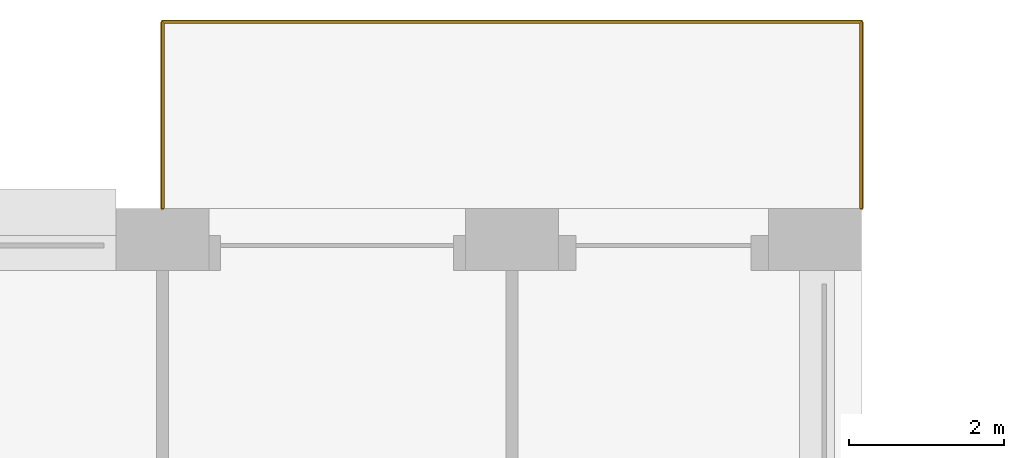
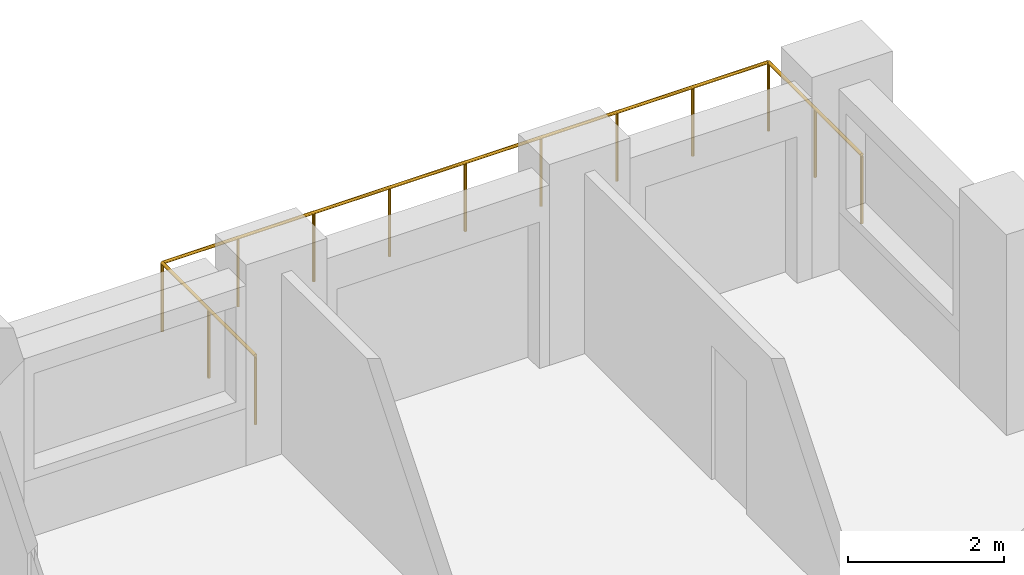
# One storey, part 19 of 19: 1 railing.
"""IFC4 building model written with IfcOpenShell, lengths in metres."""

from ifc_helpers import new_model, si_unit, direction, frame, origin, origin_2d, place, context, subcontext, project, spatial, circle, extrude, material, type_object, element, save


model = new_model("IFC4")

# Units and contexts
model_context = context("Model", 3, precision=1e-05, world=origin(), true_north=direction((0.0, 1.0)))
body_context = subcontext(model_context, "Body", "Model", "MODEL_VIEW")
ifc_project = project(units=[si_unit("LENGTHUNIT", "METRE"), si_unit("AREAUNIT", "SQUARE_METRE"), si_unit("VOLUMEUNIT", "CUBIC_METRE"), si_unit("PLANEANGLEUNIT", "RADIAN"), si_unit("MASSUNIT", "GRAM", prefix="KILO")], contexts=[model_context])

# Site, building, storey
site_placement = place(None, origin())
site = spatial("IfcSite", under=ifc_project, at=site_placement, CompositionType="ELEMENT")
building_placement = place(site_placement, origin())
building = spatial("IfcBuilding", under=site, at=building_placement, Name="Brigalow Station Residences", CompositionType="ELEMENT")
storey_placement = place(building_placement, frame((0.0, 0.0, 19.5)))
storey = spatial("IfcBuildingStorey", under=building, at=storey_placement, Name="L04", CompositionType="ELEMENT", Elevation=19.5)

# Railing
ifc_material = material(Name="Stainless steel balustrade with laminated glass infill", Category="steel")
railing_type = type_object("IfcRailingType", Name="BALCONY GUARD 1100", PredefinedType="GUARDRAIL", material=ifc_material)
railing_placement = place(storey_placement, frame((72.0, 48.5, -0.0400390625)))
element("IfcRailing", 1, at=railing_placement, inside=storey, type_object=railing_type, Name="L04/balcony-guard/2", PredefinedType="GUARDRAIL", context=body_context, shape_type="SweptSolid", body=[
    extrude(circle(Radius=0.02392578125, at=origin_2d()), frame((0.0, 0.0, 1.076171875), z_axis=(0.0, 1.0, 0.0), x_axis=(-1.0, 0.0, 0.0)), (0.0, 0.0, 1.0), 2.39990234375),
    extrude(circle(Radius=0.02392578125, at=origin_2d()), frame((0.0, 2.39990234375, 1.076171875), z_axis=(-1.0, 0.0, 0.0), x_axis=(0.0, -1.0, 0.0)), (0.0, 0.0, 1.0), 9.0),
    extrude(circle(Radius=0.02392578125, at=origin_2d()), frame((-9.0, 2.39990234375, 1.076171875), z_axis=(0.0, -1.0, 0.0), x_axis=(1.0, 0.0, 0.0)), (0.0, 0.0, 1.0), 2.39990234375),
    extrude(circle(Radius=0.02099609375, at=origin_2d()), origin(), (0.0, 0.0, 1.0), 1.052001953125),
    extrude(circle(Radius=0.02099609375, at=origin_2d()), frame((0.0, 1.199951171875, 0.0)), (0.0, 0.0, 1.0), 1.052001953125),
    extrude(circle(Radius=0.02099609375, at=origin_2d()), frame((0.0, 2.39990234375, 0.0)), (0.0, 0.0, 1.0), 1.052001953125),
    extrude(circle(Radius=0.02099609375, at=origin_2d()), frame((-1.125, 2.39990234375, 0.0)), (0.0, 0.0, 1.0), 1.052001953125),
    extrude(circle(Radius=0.02099609375, at=origin_2d()), frame((-2.25, 2.39990234375, 0.0)), (0.0, 0.0, 1.0), 1.052001953125),
    extrude(circle(Radius=0.02099609375, at=origin_2d()), frame((-3.375, 2.39990234375, 0.0)), (0.0, 0.0, 1.0), 1.052001953125),
    extrude(circle(Radius=0.02099609375, at=origin_2d()), frame((-4.5, 2.39990234375, 0.0)), (0.0, 0.0, 1.0), 1.052001953125),
    extrude(circle(Radius=0.02099609375, at=origin_2d()), frame((-5.625, 2.39990234375, 0.0)), (0.0, 0.0, 1.0), 1.052001953125),
    extrude(circle(Radius=0.02099609375, at=origin_2d()), frame((-6.75, 2.39990234375, 0.0)), (0.0, 0.0, 1.0), 1.052001953125),
    extrude(circle(Radius=0.02099609375, at=origin_2d()), frame((-7.875, 2.39990234375, 0.0)), (0.0, 0.0, 1.0), 1.052001953125),
    extrude(circle(Radius=0.02099609375, at=origin_2d()), frame((-9.0, 2.39990234375, 0.0)), (0.0, 0.0, 1.0), 1.052001953125),
    extrude(circle(Radius=0.02099609375, at=origin_2d()), frame((-9.0, 1.199951171875, 0.0)), (0.0, 0.0, 1.0), 1.052001953125),
    extrude(circle(Radius=0.02099609375, at=origin_2d()), frame((-9.0, 0.0, 0.0)), (0.0, 0.0, 1.0), 1.052001953125),
])

save(model, "model.ifc")
